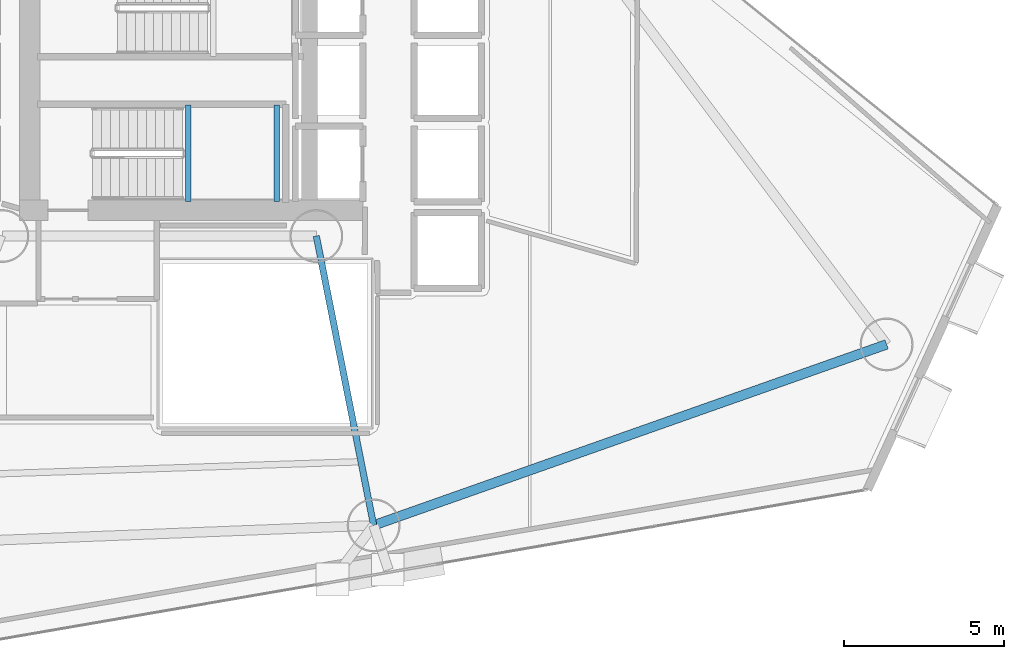
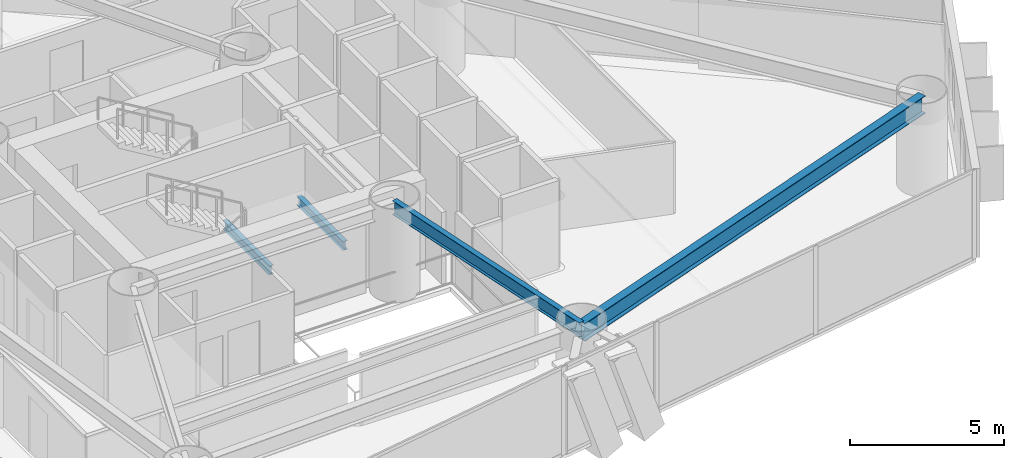
# One storey, part 6 of 23: 4 beams.
"""IFC4 building model written with IfcOpenShell, lengths in metres."""

from ifc_helpers import new_model, si_unit, direction, frame, origin, origin_2d, place, context, subcontext, project, spatial, i_section, extrude, material, material_profile, profile_set, type_object, element, save


model = new_model("IFC4")

# Units and contexts
model_context = context("Model", 3, precision=1e-05, world=origin(), true_north=direction((0.0, 1.0)))
body_context = subcontext(model_context, "Body", "Model", "MODEL_VIEW")
ifc_project = project(units=[si_unit("LENGTHUNIT", "METRE"), si_unit("AREAUNIT", "SQUARE_METRE"), si_unit("VOLUMEUNIT", "CUBIC_METRE"), si_unit("PLANEANGLEUNIT", "RADIAN"), si_unit("MASSUNIT", "GRAM", prefix="KILO")], contexts=[model_context])

# Site, building, storey
site_placement = place(None, origin())
site = spatial("IfcSite", under=ifc_project, at=site_placement, CompositionType="ELEMENT")
building_placement = place(site_placement, origin())
building = spatial("IfcBuilding", under=site, at=building_placement, Name="Qianvela Tower", CompositionType="ELEMENT")
storey_placement = place(building_placement, frame((0.0, 0.0, 82.10009765625)))
storey = spatial("IfcBuildingStorey", under=building, at=storey_placement, Name="L20", CompositionType="ELEMENT", Elevation=82.10009765625)

# Beams
ifc_material_1 = material(Name="Steel Q355B", Category="steel")
ifc_material_profile_1 = material_profile(ifc_material_1, i_section(OverallWidth=0.175048828125, OverallDepth=0.35009765625, WebThickness=0.007080078125, FlangeThickness=0.010986328125, at=origin_2d()), Name="HN350x175x7x11")
ifc_profile_set_1 = profile_set([ifc_material_profile_1], Name="Steel Q355B")
beam_type_1 = type_object("IfcBeamType", Name="BM-HN350-JOIST", PredefinedType="JOIST", material=ifc_profile_set_1)
for number, where, z_axis, x_axis, name in (
    (1, (34.39990234375, 24.919921875, 1.474853515625), (0.0, 1.0, 0.0), (-1.0, 0.0, 0.0), "L20 Stair ST-2 Landing Support Beam 1.1"),
    (2, (37.169921875, 24.919921875, 1.474853515625), (0.0, 1.0, 0.0), (-1.0, 0.0, 0.0), "L20 Stair ST-2 Landing Support Beam 1.2"),
):
    element("IfcBeam", number, at=place(storey_placement, frame(where, z_axis=z_axis, x_axis=x_axis)), inside=storey, type_object=beam_type_1, Name=name, PredefinedType="JOIST", context=body_context, shape_type="SweptSolid", body=[
        extrude(i_section(OverallWidth=0.175048828125, OverallDepth=0.35009765625, WebThickness=0.007080078125, FlangeThickness=0.010986328125, at=origin_2d()), origin(), (0.0, 0.0, 1.0), 3.02001953125),
    ])
ifc_material_2 = material(Name="Steel Q355B", Category="steel")
ifc_material_profile_2 = material_profile(ifc_material_2, i_section(OverallWidth=0.199951171875, OverallDepth=0.550048828125, WebThickness=0.010009765625, FlangeThickness=0.01611328125, at=origin_2d()), Name="HN550x200x10x16")
ifc_profile_set_2 = profile_set([ifc_material_profile_2], Name="Steel Q355B")
beam_type_2 = type_object("IfcBeamType", Name="BM-HN550-GIRD", PredefinedType="BEAM", material=ifc_profile_set_2)
beam_1_placement = place(storey_placement, frame((38.39990234375, 23.85009765625, 3.242919921875), z_axis=(0.194325825688, -0.980937038485, 0.0), x_axis=(0.980937038485, 0.194325825688, 0.0)))
element("IfcBeam", 3, at=beam_1_placement, inside=storey, type_object=beam_type_2, Name="L20 Radial Primary Floor Girder 6", PredefinedType="BEAM", context=body_context, shape_type="SweptSolid", body=[
    extrude(i_section(OverallWidth=0.199951171875, OverallDepth=0.550048828125, WebThickness=0.010009765625, FlangeThickness=0.01611328125, at=origin_2d()), origin(), (0.0, 0.0, 1.0), 9.20654296875),
])
ifc_material_3 = material(Name="Steel Q355B", Category="steel")
ifc_material_profile_3 = material_profile(ifc_material_3, i_section(OverallWidth=0.300048828125, OverallDepth=0.699951171875, WebThickness=0.012939453125, FlangeThickness=0.02392578125, at=origin_2d()), Name="HN700x300x13x24")
ifc_profile_set_3 = profile_set([ifc_material_profile_3], Name="Steel Q355B")
beam_type_3 = type_object("IfcBeamType", Name="BM-HN700-SPAND", PredefinedType="SPANDREL", material=ifc_profile_set_3)
beam_2_placement = place(storey_placement, frame((40.18896484375, 14.819091796875, 3.16796875), z_axis=(0.943021125648, 0.332732860687, 0.0), x_axis=(-0.332732860687, 0.943021125648, 0.0)))
element("IfcBeam", 4, at=beam_2_placement, inside=storey, type_object=beam_type_3, Name="L20 Perimeter Ring Spandrel Girder 6", PredefinedType="SPANDREL", context=body_context, shape_type="SweptSolid", body=[
    extrude(i_section(OverallWidth=0.300048828125, OverallDepth=0.699951171875, WebThickness=0.012939453125, FlangeThickness=0.02392578125, at=origin_2d()), origin(), (0.0, 0.0, 1.0), 16.977294921875),
])

save(model, "model.ifc")
